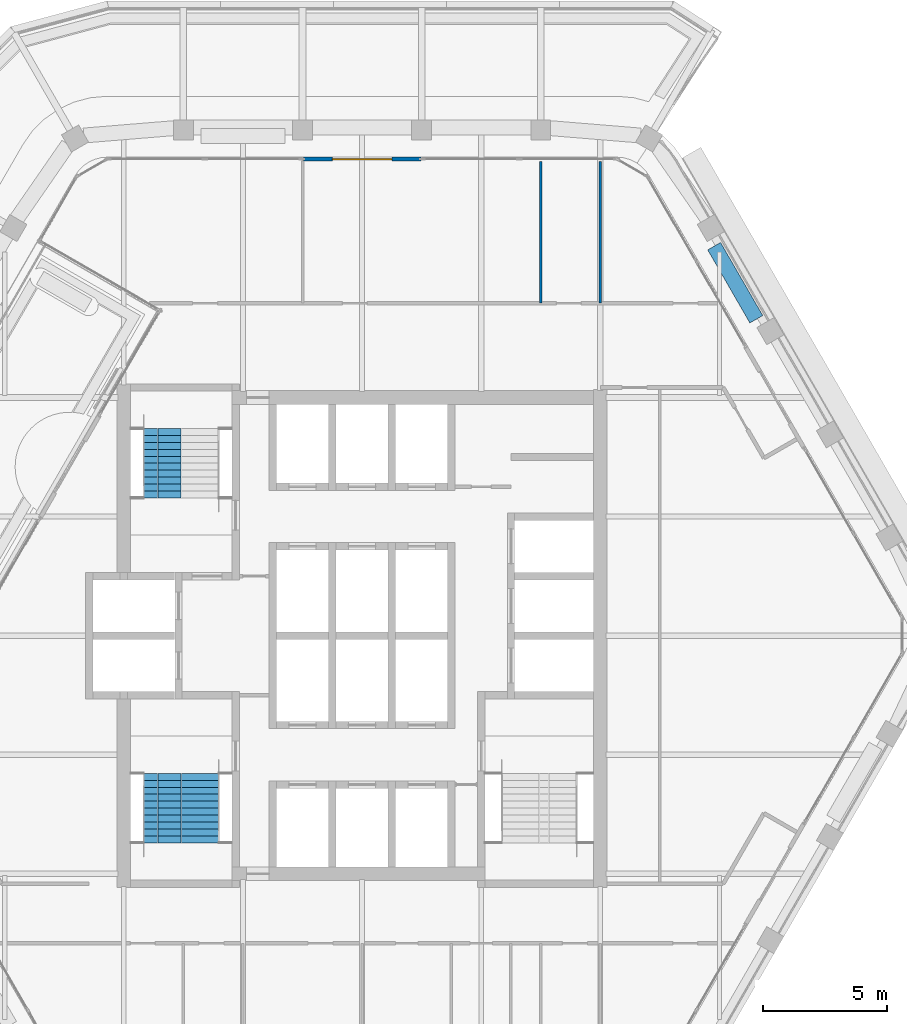
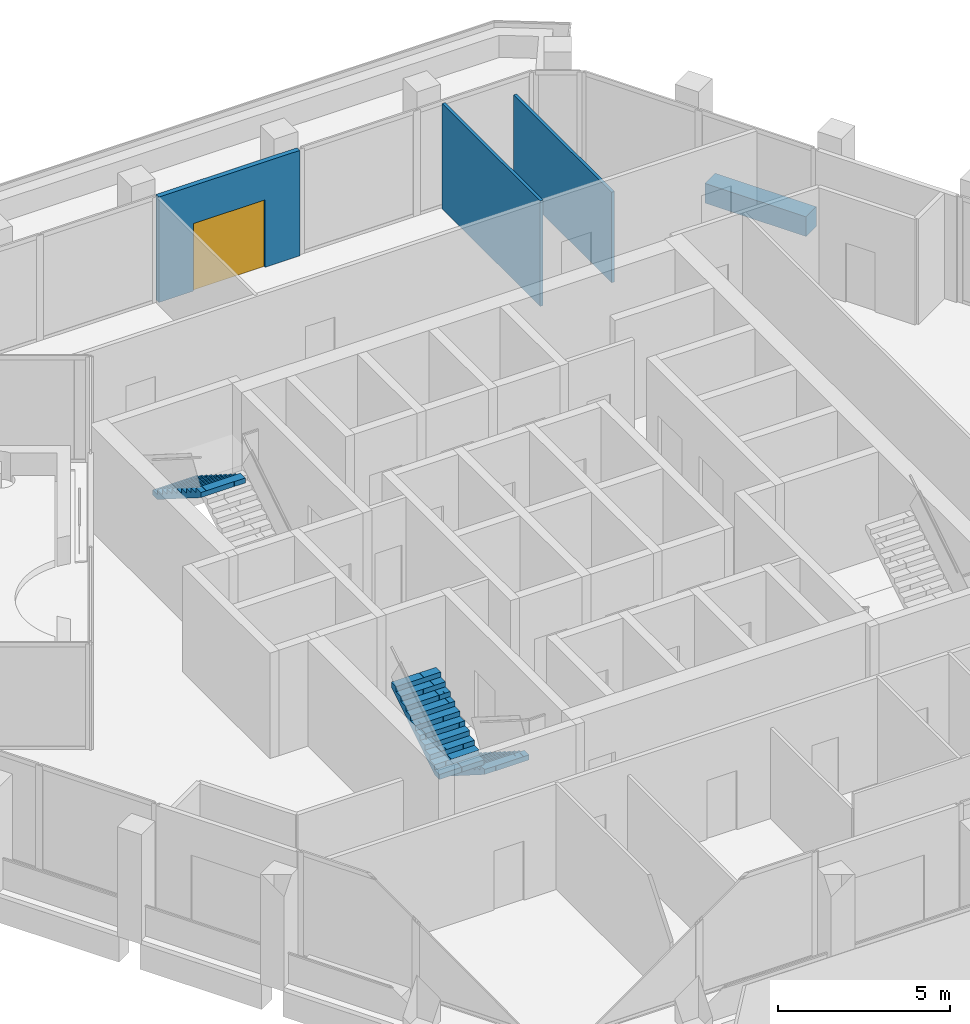
# One storey, part 13 of 16: 4 walls, 3 stair flights, 1 door, 1 opening, 2 elements without a shape of their own.
"""IFC4 building model written with IfcOpenShell, lengths in metres."""

import ifcopenshell
import ifcopenshell.guid

model = None  # the IFC model being written
_history = None  # IfcOwnerHistory: only IFC2X3 demands one
_inside = {}  # id of a spatial element -> (the spatial element, [elements in it])
_under = {}  # id of a project, library or spatial element -> (it, [spatial elements below it])
_declared = {}  # id of a project -> (the project, [libraries it declares])
_typed = {}  # id of a type object -> (the type object, [elements of that type])
_made_of = {}  # id of a material, layer set ... -> (it, [elements and type objects made of it])


def new_model(schema):
    """Start an empty IFC model of exactly this schema.

    Asked for "IFC4X3", IfcOpenShell would pick the latest addendum, in which some entities
    have other attributes; the version numbers below select the first issue.
    IFC2X3 requires an IfcOwnerHistory on every rooted entity: one is made here for all.
    """
    global model, _history
    if schema == "IFC4X3":
        model = ifcopenshell.file(schema_version=(4, 3, 0, 0))
    else:
        model = ifcopenshell.file(schema=schema)
    _inside.clear()
    _under.clear()
    _declared.clear()
    _typed.clear()
    _made_of.clear()
    _history = None
    if model.schema == "IFC2X3":
        org = make("IfcOrganization", Name="unknown")
        user = make(
            "IfcPersonAndOrganization",
            ThePerson=make("IfcPerson", FamilyName="unknown"),
            TheOrganization=org,
        )
        app = make(
            "IfcApplication",
            ApplicationDeveloper=org,
            Version="unknown",
            ApplicationFullName="unknown",
            ApplicationIdentifier="unknown",
        )
        _history = make(
            "IfcOwnerHistory",
            OwningUser=user,
            OwningApplication=app,
            ChangeAction="ADDED",
            CreationDate=0,
        )
    return model


def make(cls, **values):
    """One entity of the class cls with the attributes given. An attribute that is None is left unset."""
    return model.create_entity(
        cls, **{name: value for name, value in values.items() if value is not None}
    )


def rooted(cls, **values):
    """An entity with a GlobalId (a new one), such as an element, a storey or a relation."""
    return make(cls, GlobalId=ifcopenshell.guid.new(), OwnerHistory=_history, **values)


def si_unit(unit_type, name, prefix=None):
    """IfcSIUnit, for example si_unit("LENGTHUNIT", "METRE", prefix="MILLI")."""
    return make("IfcSIUnit", UnitType=unit_type, Prefix=prefix, Name=name)


def assignment(units):
    """IfcUnitAssignment: the units of a project."""
    return None if units is None else make("IfcUnitAssignment", Units=units)


def point(xyz):
    """IfcCartesianPoint."""
    return None if xyz is None else make("IfcCartesianPoint", Coordinates=xyz)


def direction(xyz):
    """IfcDirection."""
    return None if xyz is None else make("IfcDirection", DirectionRatios=xyz)


def frame(location, z_axis=None, x_axis=None):
    """IfcAxis2Placement3D, a coordinate frame: its origin and axes. An axis left out is left unset."""
    return make(
        "IfcAxis2Placement3D",
        Location=point(location),
        Axis=direction(z_axis),
        RefDirection=direction(x_axis),
    )


def frame_2d(location, x_axis=None):
    """IfcAxis2Placement2D, a coordinate frame in the plane: its origin and x axis."""
    return make(
        "IfcAxis2Placement2D", Location=point(location), RefDirection=direction(x_axis)
    )


def origin():
    """The frame at (0, 0, 0) with its axes left unset."""
    return frame((0.0, 0.0, 0.0))


def place(relative_to, where):
    """IfcLocalPlacement: puts the frame where relative to a parent placement (None: the world)."""
    return make(
        "IfcLocalPlacement", PlacementRelTo=relative_to, RelativePlacement=where
    )


def context(
    kind, dimensions, precision=None, world=None, true_north=None, identifier=None
):
    """IfcGeometricRepresentationContext, for example the 3D "Model" context."""
    return make(
        "IfcGeometricRepresentationContext",
        ContextIdentifier=identifier,
        ContextType=kind,
        CoordinateSpaceDimension=dimensions,
        Precision=precision,
        WorldCoordinateSystem=world,
        TrueNorth=true_north,
    )


def subcontext(parent, identifier, kind, view, scale=None):
    """IfcGeometricRepresentationSubContext, for example "Body" below "Model"."""
    return make(
        "IfcGeometricRepresentationSubContext",
        ContextIdentifier=identifier,
        ContextType=kind,
        ParentContext=parent,
        TargetScale=scale,
        TargetView=view,
    )


def project(units=None, contexts=None):
    """IfcProject with its units and contexts."""
    return rooted(
        "IfcProject",
        Name="project",
        RepresentationContexts=contexts,
        UnitsInContext=assignment(units),
    )


def spatial(cls, under=None, at=None, **own):
    """A site, building, storey or space (cls), placed at a placement, below another one or the project."""
    s = rooted(cls, ObjectPlacement=at, **own)
    if under is not None:
        _under.setdefault(under.id(), (under, []))[1].append(s)
    return s


def polyline(points):
    """IfcPolyline through the points."""
    return make("IfcPolyline", Points=[point(p) for p in points])


def profile(cls, at=None, kind="AREA", **sizes):
    """A parametric profile (cls). Its sizes go by their IFC names, for example OverallWidth=200.0."""
    return make(cls, ProfileType=kind, Position=at, **sizes)


def rectangle(**sizes):
    """IfcRectangleProfileDef."""
    return profile("IfcRectangleProfileDef", **sizes)


def outline(outer, holes=None, kind="AREA"):
    """IfcArbitraryClosedProfileDef: a profile drawn as a closed curve; with holes, ...WithVoids."""
    if holes is None:
        return make("IfcArbitraryClosedProfileDef", ProfileType=kind, OuterCurve=outer)
    return make(
        "IfcArbitraryProfileDefWithVoids",
        ProfileType=kind,
        OuterCurve=outer,
        InnerCurves=holes,
    )


def extrude(swept, where, along, depth):
    """IfcExtrudedAreaSolid: the profile swept, set in the frame where, extruded along a direction by depth."""
    return make(
        "IfcExtrudedAreaSolid",
        SweptArea=swept,
        Position=where,
        ExtrudedDirection=direction(along),
        Depth=depth,
    )


def shape(context_of_items, identifier, shape_type, items):
    """IfcShapeRepresentation: the items that make up one representation, for example the "Body"."""
    return make(
        "IfcShapeRepresentation",
        ContextOfItems=context_of_items,
        RepresentationIdentifier=identifier,
        RepresentationType=shape_type,
        Items=items,
    )


def material(Name=None, Category=None):
    """IfcMaterial."""
    return make("IfcMaterial", Name=Name, Category=Category)


def layer(
    of_material, thickness, ventilated=None, Name=None, Category=None, Priority=None
):
    """IfcMaterialLayer: one layer of a wall or slab, of a material (None: an air gap)."""
    return make(
        "IfcMaterialLayer",
        Material=of_material,
        LayerThickness=thickness,
        IsVentilated=ventilated,
        Name=Name,
        Category=Category,
        Priority=Priority,
    )


def layer_set(layers, Name=None):
    """IfcMaterialLayerSet."""
    return make("IfcMaterialLayerSet", MaterialLayers=layers, LayerSetName=Name)


def made_of(thing, what):
    """Note that an element or type object is made of a material, layer set ...; save() writes the relation."""
    if what is not None:
        _made_of.setdefault(what.id(), (what, []))[1].append(thing)
    return thing


def type_object(cls, material=None, **own):
    """A type object (cls), such as IfcWallType, which elements share."""
    return made_of(rooted(cls, **own), material)


def element(
    cls,
    number,
    at=None,
    inside=None,
    cuts=None,
    type_object=None,
    material=None,
    context=None,
    identifier="Body",
    shape_type=None,
    held_by="IfcProductDefinitionShape",
    body=None,
    shapes=None,
    **own,
):
    """One element of the class cls, such as IfcWall. Its Tag is "e" and its number.

    at: its placement. inside: the storey or other place that contains it. cuts: it is an
    opening in that element (IfcRelVoidsElement). A single representation is given by context,
    identifier, shape_type and body (its items); several are given by shapes. held_by: the class
    of the entity that holds the representations. save() writes the other relations.
    """
    e = rooted(cls, Tag="e%d" % number, ObjectPlacement=at, **own)
    if body is not None:
        shapes = [shape(context, identifier, shape_type, body)]
    if shapes is not None:
        e.Representation = make(held_by, Representations=shapes)
    if inside is not None:
        _inside.setdefault(inside.id(), (inside, []))[1].append(e)
    if cuts is not None:
        rooted(
            "IfcRelVoidsElement", RelatingBuildingElement=cuts, RelatedOpeningElement=e
        )
    if type_object is not None:
        _typed.setdefault(type_object.id(), (type_object, []))[1].append(e)
    return made_of(e, material)


def fill(opening, filler):
    """IfcRelFillsElement: the door or window that sits in an opening."""
    return rooted(
        "IfcRelFillsElement",
        RelatingOpeningElement=opening,
        RelatedBuildingElement=filler,
    )


def aggregate(whole, parts):
    """IfcRelAggregates: a whole, such as a stair, and the parts it consists of."""
    return rooted("IfcRelAggregates", RelatingObject=whole, RelatedObjects=parts)


def save(model, path):
    """Write the relations noted so far, then the file.

    IfcRelAggregates (storeys below a building ...), IfcRelContainedInSpatialStructure (elements
    in a storey), IfcRelDefinesByType, IfcRelAssociatesMaterial and IfcRelDeclares: one each for
    every whole, place, type object, material and project.
    """
    for whole, parts in _under.values():
        aggregate(whole, parts)
    for where, things in _inside.values():
        rooted(
            "IfcRelContainedInSpatialStructure",
            RelatedElements=things,
            RelatingStructure=where,
        )
    for kind, things in _typed.values():
        rooted("IfcRelDefinesByType", RelatedObjects=things, RelatingType=kind)
    for what, things in _made_of.values():
        rooted("IfcRelAssociatesMaterial", RelatedObjects=things, RelatingMaterial=what)
    for by, libraries in _declared.values():
        rooted("IfcRelDeclares", RelatingContext=by, RelatedDefinitions=libraries)
    model.write(path)


model = new_model("IFC4")

# Units and contexts
model_context = context("Model", 3, precision=1e-05, world=origin(), true_north=direction((0.0, 1.0)))
body_context = subcontext(model_context, "Body", "Model", "MODEL_VIEW")
ifc_project = project(units=[si_unit("LENGTHUNIT", "METRE"), si_unit("AREAUNIT", "SQUARE_METRE"), si_unit("VOLUMEUNIT", "CUBIC_METRE"), si_unit("PLANEANGLEUNIT", "RADIAN"), si_unit("MASSUNIT", "GRAM", prefix="KILO")], contexts=[model_context])

# Site, building, storey
site_placement = place(None, origin())
site = spatial("IfcSite", under=ifc_project, at=site_placement, CompositionType="ELEMENT")
building_placement = place(site_placement, origin())
building = spatial("IfcBuilding", under=site, at=building_placement, Name="Kolab Exchange Tower", CompositionType="ELEMENT")
storey_placement = place(building_placement, frame((0.0, 0.0, 254.0)))
storey = spatial("IfcBuildingStorey", under=building, at=storey_placement, Name="L56", CompositionType="ELEMENT", Elevation=254.0)

# Wall, opening, door
ifc_material_1 = material(Name="Aluminium EN AW-6063 T6", Category="aluminium")
ifc_layer_1 = layer(ifc_material_1, 0.159912109375)
ifc_layer_set_1 = layer_set([ifc_layer_1], Name="Aluminium EN AW-6063 T6")
wall_type_1 = type_object("IfcWallType", Name="DOOR SURROUND WALL 160 ALUMINIUM FRAMED", PredefinedType="PARTITIONING", material=ifc_layer_set_1)
wall_1_placement = place(storey_placement, frame((-2.3701171875, 19.20458984375, 0.0), z_axis=(0.0, 0.0, 1.0), x_axis=(1.0, 0.0, 0.0)))
wall_1 = element("IfcWall", 1, at=wall_1_placement, inside=storey, type_object=wall_type_1, Name="Door surround wall", PredefinedType="PARTITIONING", context=body_context, shape_type="SweptSolid", body=[
    extrude(rectangle(XDim=4.740234375, YDim=0.159912109375, at=frame_2d((2.3701171875, 0.0))), origin(), (0.0, 0.0, 1.0), 3.75),
])
opening_placement = place(wall_1_placement, frame((1.169921875, 0.0, 0.0)))
opening = element("IfcOpeningElement", 2, at=opening_placement, cuts=wall_1, Name="Opening GD1-089", PredefinedType="OPENING", context=body_context, shape_type="SweptSolid", body=[
    extrude(rectangle(XDim=2.39990234375, YDim=2.39990234375, at=frame_2d((1.199951171875, 1.199951171875))), frame((0.0, 0.08984375, 0.0), z_axis=(0.0, -1.0, 0.0), x_axis=(1.0, 0.0, 0.0)), (0.0, 0.0, 1.0), 0.179931640625),
])
door_type = type_object("IfcDoorType", Name="LOGGIA SLIDING GLASS DOOR 2400 X 2400", OperationType="DOUBLE_DOOR_SINGLE_SWING", PredefinedType="DOOR", material=ifc_material_1)
door_placement = place(opening_placement, origin())
door = element("IfcDoor", 3, at=door_placement, inside=storey, type_object=door_type, Name="Loggia door", OperationType="DOUBLE_DOOR_SLIDING", OverallHeight=2.39990234375, OverallWidth=2.39990234375, PredefinedType="DOOR", context=body_context, shape_type="SweptSolid", body=[
    extrude(rectangle(XDim=2.39990234375, YDim=2.39990234375, at=frame_2d((1.199951171875, 1.199951171875))), frame((0.0, 0.02490234375, 0.0), z_axis=(0.0, -1.0, 0.0), x_axis=(1.0, 0.0, 0.0)), (0.0, 0.0, 1.0), 0.050048828125),
])
fill(opening, door)

# Walls
ifc_material_2 = material(Name="Gypsum board", Category="gypsum")
ifc_layer_2 = layer(ifc_material_2, 0.10009765625)
ifc_layer_set_2 = layer_set([ifc_layer_2], Name="Gypsum board")
wall_type_2 = type_object("IfcWallType", Name="PARTITION 100", PredefinedType="PARTITIONING", material=ifc_layer_set_2)
wall_2_placement = place(storey_placement, frame((9.60009765625, 13.39990234375, 0.0), z_axis=(0.0, 0.0, 1.0), x_axis=(0.0, 1.0, 0.0)))
element("IfcWall", 4, at=wall_2_placement, inside=storey, type_object=wall_type_2, Name="Partition 002", PredefinedType="PARTITIONING", context=body_context, shape_type="SweptSolid", body=[
    extrude(rectangle(XDim=5.714599609375, YDim=0.10009765625, at=frame_2d((2.857421875, 0.0))), origin(), (0.0, 0.0, 1.0), 3.217041015625),
])
wall_3_placement = place(storey_placement, frame((7.199951171875, 13.39990234375, 0.0), z_axis=(0.0, 0.0, 1.0), x_axis=(0.0, 1.0, 0.0)))
element("IfcWall", 5, at=wall_3_placement, inside=storey, type_object=wall_type_2, Name="Partition 004", PredefinedType="PARTITIONING", context=body_context, shape_type="SweptSolid", body=[
    extrude(rectangle(XDim=5.714599609375, YDim=0.10009765625, at=frame_2d((2.857421875, 0.0))), origin(), (0.0, 0.0, 1.0), 3.75),
])
ifc_material_3 = material(Name="Granite facing", Category="masonry")
ifc_layer_3 = layer(ifc_material_3, 0.0400390625)
ifc_material_4 = material(Name="Concrete C40/50 precast", Category="concrete")
ifc_layer_4 = layer(ifc_material_4, 0.56005859375)
ifc_layer_set_3 = layer_set([ifc_layer_3, ifc_layer_4], Name="Concrete C40/50 precast")
wall_type_3 = type_object("IfcWallType", Name="PLANTER BOX 600 X 700 SOIL DEPTH 550", PredefinedType="USERDEFINED", material=ifc_layer_set_3)
wall_4_placement = place(storey_placement, frame((14.18701171875, 15.696533203125, 0.0), z_axis=(0.0, 0.0, 1.0), x_axis=(0.499977295307, -0.866038511948, 0.0)))
element("IfcWall", 6, at=wall_4_placement, inside=storey, type_object=wall_type_3, Name="Planter", ObjectType="PLANTER", PredefinedType="USERDEFINED", context=body_context, shape_type="SweptSolid", body=[
    extrude(rectangle(XDim=3.400146484375, YDim=0.60009765625, at=frame_2d((1.7001953125, 0.0))), origin(), (0.0, 0.0, 1.0), 0.699951171875),
])

# Stair, stair flight
ifc_material_5 = material(Name="Concrete C50/60", Category="concrete")
stair_type_1 = type_object("IfcStairType", Name="STAIR ST1 RISER 177.3", PredefinedType="HALF_TURN_STAIR", material=ifc_material_5)
stair_1_placement = place(storey_placement, origin())
stair_1 = element("IfcStair", 7, at=stair_1_placement, inside=storey, type_object=stair_type_1, Name="Stair 1", PredefinedType="HALF_TURN_STAIR")
stair_flight_type = type_object("IfcStairFlightType", Name="STAIR FLIGHT 1500 RISER 177.3", PredefinedType="STRAIGHT", material=ifc_material_5)
stair_flight_1_placement = place(storey_placement, frame((-8.047607421875, 8.35009765625, 1.949951171875), z_axis=(0.0, 0.0, 1.0), x_axis=(0.0, -1.0, 0.0)))
stair_flight_1 = element("IfcStairFlight", 8, at=stair_flight_1_placement, type_object=stair_flight_type, Name="ST1 flight 2", NumberOfRisers=11, NumberOfTreads=10, PredefinedType="STRAIGHT", RiserHeight=0.177272727, TreadLength=0.28, context=body_context, shape_type="SweptSolid", body=[
    extrude(outline(polyline([(0.0, 0.0), (0.0, 0.17724609375), (0.280029296875, 0.17724609375), (0.280029296875, 0.3544921875), (0.56005859375, 0.3544921875), (0.56005859375, 0.53173828125), (0.840087890625, 0.53173828125), (0.840087890625, 0.708984375), (1.1201171875, 0.708984375), (1.1201171875, 0.886474609375), (1.39990234375, 0.886474609375), (1.39990234375, 1.063720703125), (1.679931640625, 1.063720703125), (1.679931640625, 1.240966796875), (1.9599609375, 1.240966796875), (1.9599609375, 1.418212890625), (2.239990234375, 1.418212890625), (2.239990234375, 1.595458984375), (2.52001953125, 1.595458984375), (2.52001953125, 1.772705078125), (2.800048828125, 1.772705078125), (2.800048828125, 1.949951171875), (2.800048828125, 1.59521484375), (0.2802734375, 0.0), (0.0, 0.0)])), frame((0.0, 0.75, 0.0), z_axis=(0.0, -1.0, 0.0), x_axis=(1.0, 0.0, 0.0)), (0.0, 0.0, 1.0), 0.185791015625),
    extrude(outline(polyline([(0.0, 0.0), (0.0, 0.17724609375), (0.280029296875, 0.17724609375), (0.280029296875, 0.3544921875), (0.56005859375, 0.3544921875), (0.56005859375, 0.53173828125), (0.840087890625, 0.53173828125), (0.840087890625, 0.708984375), (1.1201171875, 0.708984375), (1.1201171875, 0.886474609375), (1.39990234375, 0.886474609375), (1.39990234375, 1.063720703125), (1.679931640625, 1.063720703125), (1.679931640625, 1.240966796875), (1.9599609375, 1.240966796875), (1.9599609375, 1.418212890625), (2.239990234375, 1.418212890625), (2.239990234375, 1.595458984375), (2.52001953125, 1.595458984375), (2.52001953125, 1.772705078125), (2.800048828125, 1.772705078125), (2.800048828125, 1.949951171875), (2.800048828125, 1.59521484375), (0.2802734375, 0.0), (0.0, 0.0)])), frame((0.0, 0.562255859375, 0.0), z_axis=(0.0, -1.0, 0.0), x_axis=(1.0, 0.0, 0.0)), (0.0, 0.0, 1.0), 0.185791015625),
    extrude(outline(polyline([(0.0, 0.0), (0.0, 0.17724609375), (0.280029296875, 0.17724609375), (0.280029296875, 0.3544921875), (0.56005859375, 0.3544921875), (0.56005859375, 0.53173828125), (0.840087890625, 0.53173828125), (0.840087890625, 0.708984375), (1.1201171875, 0.708984375), (1.1201171875, 0.886474609375), (1.39990234375, 0.886474609375), (1.39990234375, 1.063720703125), (1.679931640625, 1.063720703125), (1.679931640625, 1.240966796875), (1.9599609375, 1.240966796875), (1.9599609375, 1.418212890625), (2.239990234375, 1.418212890625), (2.239990234375, 1.595458984375), (2.52001953125, 1.595458984375), (2.52001953125, 1.772705078125), (2.800048828125, 1.772705078125), (2.800048828125, 1.949951171875), (2.800048828125, 1.59521484375), (0.2802734375, 0.0), (0.0, 0.0)])), frame((0.0, 0.37451171875, 0.0), z_axis=(0.0, -1.0, 0.0), x_axis=(1.0, 0.0, 0.0)), (0.0, 0.0, 1.0), 0.185791015625),
    extrude(outline(polyline([(0.0, 0.0), (0.0, 0.17724609375), (0.280029296875, 0.17724609375), (0.280029296875, 0.3544921875), (0.56005859375, 0.3544921875), (0.56005859375, 0.53173828125), (0.840087890625, 0.53173828125), (0.840087890625, 0.708984375), (1.1201171875, 0.708984375), (1.1201171875, 0.886474609375), (1.39990234375, 0.886474609375), (1.39990234375, 1.063720703125), (1.679931640625, 1.063720703125), (1.679931640625, 1.240966796875), (1.9599609375, 1.240966796875), (1.9599609375, 1.418212890625), (2.239990234375, 1.418212890625), (2.239990234375, 1.595458984375), (2.52001953125, 1.595458984375), (2.52001953125, 1.772705078125), (2.800048828125, 1.772705078125), (2.800048828125, 1.949951171875), (2.800048828125, 1.59521484375), (0.2802734375, 0.0), (0.0, 0.0)])), frame((0.0, 0.186767578125, 0.0), z_axis=(0.0, -1.0, 0.0), x_axis=(1.0, 0.0, 0.0)), (0.0, 0.0, 1.0), 0.185791015625),
    extrude(outline(polyline([(0.0, 0.0), (0.0, 0.17724609375), (0.280029296875, 0.17724609375), (0.280029296875, 0.3544921875), (0.56005859375, 0.3544921875), (0.56005859375, 0.53173828125), (0.840087890625, 0.53173828125), (0.840087890625, 0.708984375), (1.1201171875, 0.708984375), (1.1201171875, 0.886474609375), (1.39990234375, 0.886474609375), (1.39990234375, 1.063720703125), (1.679931640625, 1.063720703125), (1.679931640625, 1.240966796875), (1.9599609375, 1.240966796875), (1.9599609375, 1.418212890625), (2.239990234375, 1.418212890625), (2.239990234375, 1.595458984375), (2.52001953125, 1.595458984375), (2.52001953125, 1.772705078125), (2.800048828125, 1.772705078125), (2.800048828125, 1.949951171875), (2.800048828125, 1.59521484375), (0.2802734375, 0.0), (0.0, 0.0)])), frame((0.0, -0.0009765625, 0.0), z_axis=(0.0, -1.0, 0.0), x_axis=(1.0, 0.0, 0.0)), (0.0, 0.0, 1.0), 0.185791015625),
    extrude(outline(polyline([(0.0, 0.0), (0.0, 0.17724609375), (0.280029296875, 0.17724609375), (0.280029296875, 0.3544921875), (0.56005859375, 0.3544921875), (0.56005859375, 0.53173828125), (0.840087890625, 0.53173828125), (0.840087890625, 0.708984375), (1.1201171875, 0.708984375), (1.1201171875, 0.886474609375), (1.39990234375, 0.886474609375), (1.39990234375, 1.063720703125), (1.679931640625, 1.063720703125), (1.679931640625, 1.240966796875), (1.9599609375, 1.240966796875), (1.9599609375, 1.418212890625), (2.239990234375, 1.418212890625), (2.239990234375, 1.595458984375), (2.52001953125, 1.595458984375), (2.52001953125, 1.772705078125), (2.800048828125, 1.772705078125), (2.800048828125, 1.949951171875), (2.800048828125, 1.59521484375), (0.2802734375, 0.0), (0.0, 0.0)])), frame((0.0, -0.188720703125, 0.0), z_axis=(0.0, -1.0, 0.0), x_axis=(1.0, 0.0, 0.0)), (0.0, 0.0, 1.0), 0.185791015625),
    extrude(outline(polyline([(0.0, 0.0), (0.0, 0.17724609375), (0.280029296875, 0.17724609375), (0.280029296875, 0.3544921875), (0.56005859375, 0.3544921875), (0.56005859375, 0.53173828125), (0.840087890625, 0.53173828125), (0.840087890625, 0.708984375), (1.1201171875, 0.708984375), (1.1201171875, 0.886474609375), (1.39990234375, 0.886474609375), (1.39990234375, 1.063720703125), (1.679931640625, 1.063720703125), (1.679931640625, 1.240966796875), (1.9599609375, 1.240966796875), (1.9599609375, 1.418212890625), (2.239990234375, 1.418212890625), (2.239990234375, 1.595458984375), (2.52001953125, 1.595458984375), (2.52001953125, 1.772705078125), (2.800048828125, 1.772705078125), (2.800048828125, 1.949951171875), (2.800048828125, 1.59521484375), (0.2802734375, 0.0), (0.0, 0.0)])), frame((0.0, -0.37646484375, 0.0), z_axis=(0.0, -1.0, 0.0), x_axis=(1.0, 0.0, 0.0)), (0.0, 0.0, 1.0), 0.185791015625),
    extrude(outline(polyline([(0.0, 0.0), (0.0, 0.17724609375), (0.280029296875, 0.17724609375), (0.280029296875, 0.3544921875), (0.56005859375, 0.3544921875), (0.56005859375, 0.53173828125), (0.840087890625, 0.53173828125), (0.840087890625, 0.708984375), (1.1201171875, 0.708984375), (1.1201171875, 0.886474609375), (1.39990234375, 0.886474609375), (1.39990234375, 1.063720703125), (1.679931640625, 1.063720703125), (1.679931640625, 1.240966796875), (1.9599609375, 1.240966796875), (1.9599609375, 1.418212890625), (2.239990234375, 1.418212890625), (2.239990234375, 1.595458984375), (2.52001953125, 1.595458984375), (2.52001953125, 1.772705078125), (2.800048828125, 1.772705078125), (2.800048828125, 1.949951171875), (2.800048828125, 1.59521484375), (0.2802734375, 0.0), (0.0, 0.0)])), frame((0.0, -0.564208984375, 0.0), z_axis=(0.0, -1.0, 0.0), x_axis=(1.0, 0.0, 0.0)), (0.0, 0.0, 1.0), 0.185791015625),
])
aggregate(stair_1, [stair_flight_1])

# Stair, stair flights
stair_type_2 = type_object("IfcStairType", Name="STAIR ST3 RISER 177.3", PredefinedType="HALF_TURN_STAIR", material=ifc_material_5)
stair_2_placement = place(storey_placement, origin())
stair_2 = element("IfcStair", 9, at=stair_2_placement, inside=storey, type_object=stair_type_2, Name="Stair 3", PredefinedType="HALF_TURN_STAIR")
stair_flight_2_placement = place(storey_placement, frame((-6.527587890625, -5.550048828125, 0.0), z_axis=(0.0, 0.0, 1.0), x_axis=(0.0, -1.0, 0.0)))
stair_flight_2 = element("IfcStairFlight", 10, at=stair_flight_2_placement, type_object=stair_flight_type, Name="ST3 flight 1", NumberOfRisers=11, NumberOfTreads=10, PredefinedType="STRAIGHT", RiserHeight=0.177272727, TreadLength=0.28, context=body_context, shape_type="SweptSolid", body=[
    extrude(outline(polyline([(0.0, 0.0), (0.0, 0.17724609375), (0.280029296875, 0.17724609375), (0.280029296875, 0.3544921875), (0.56005859375, 0.3544921875), (0.56005859375, 0.53173828125), (0.840087890625, 0.53173828125), (0.840087890625, 0.708984375), (1.1201171875, 0.708984375), (1.1201171875, 0.886474609375), (1.39990234375, 0.886474609375), (1.39990234375, 1.063720703125), (1.679931640625, 1.063720703125), (1.679931640625, 1.240966796875), (1.9599609375, 1.240966796875), (1.9599609375, 1.418212890625), (2.239990234375, 1.418212890625), (2.239990234375, 1.595458984375), (2.52001953125, 1.595458984375), (2.52001953125, 1.772705078125), (2.800048828125, 1.772705078125), (2.800048828125, 1.949951171875), (2.800048828125, 1.59521484375), (0.2802734375, 0.0), (0.0, 0.0)])), frame((0.0, 0.75, 0.0), z_axis=(0.0, -1.0, 0.0), x_axis=(1.0, 0.0, 0.0)), (0.0, 0.0, 1.0), 0.185791015625),
    extrude(outline(polyline([(0.0, 0.0), (0.0, 0.17724609375), (0.280029296875, 0.17724609375), (0.280029296875, 0.3544921875), (0.56005859375, 0.3544921875), (0.56005859375, 0.53173828125), (0.840087890625, 0.53173828125), (0.840087890625, 0.708984375), (1.1201171875, 0.708984375), (1.1201171875, 0.886474609375), (1.39990234375, 0.886474609375), (1.39990234375, 1.063720703125), (1.679931640625, 1.063720703125), (1.679931640625, 1.240966796875), (1.9599609375, 1.240966796875), (1.9599609375, 1.418212890625), (2.239990234375, 1.418212890625), (2.239990234375, 1.595458984375), (2.52001953125, 1.595458984375), (2.52001953125, 1.772705078125), (2.800048828125, 1.772705078125), (2.800048828125, 1.949951171875), (2.800048828125, 1.59521484375), (0.2802734375, 0.0), (0.0, 0.0)])), frame((0.0, 0.562255859375, 0.0), z_axis=(0.0, -1.0, 0.0), x_axis=(1.0, 0.0, 0.0)), (0.0, 0.0, 1.0), 0.185791015625),
    extrude(outline(polyline([(0.0, 0.0), (0.0, 0.17724609375), (0.280029296875, 0.17724609375), (0.280029296875, 0.3544921875), (0.56005859375, 0.3544921875), (0.56005859375, 0.53173828125), (0.840087890625, 0.53173828125), (0.840087890625, 0.708984375), (1.1201171875, 0.708984375), (1.1201171875, 0.886474609375), (1.39990234375, 0.886474609375), (1.39990234375, 1.063720703125), (1.679931640625, 1.063720703125), (1.679931640625, 1.240966796875), (1.9599609375, 1.240966796875), (1.9599609375, 1.418212890625), (2.239990234375, 1.418212890625), (2.239990234375, 1.595458984375), (2.52001953125, 1.595458984375), (2.52001953125, 1.772705078125), (2.800048828125, 1.772705078125), (2.800048828125, 1.949951171875), (2.800048828125, 1.59521484375), (0.2802734375, 0.0), (0.0, 0.0)])), frame((0.0, 0.37451171875, 0.0), z_axis=(0.0, -1.0, 0.0), x_axis=(1.0, 0.0, 0.0)), (0.0, 0.0, 1.0), 0.185791015625),
    extrude(outline(polyline([(0.0, 0.0), (0.0, 0.17724609375), (0.280029296875, 0.17724609375), (0.280029296875, 0.3544921875), (0.56005859375, 0.3544921875), (0.56005859375, 0.53173828125), (0.840087890625, 0.53173828125), (0.840087890625, 0.708984375), (1.1201171875, 0.708984375), (1.1201171875, 0.886474609375), (1.39990234375, 0.886474609375), (1.39990234375, 1.063720703125), (1.679931640625, 1.063720703125), (1.679931640625, 1.240966796875), (1.9599609375, 1.240966796875), (1.9599609375, 1.418212890625), (2.239990234375, 1.418212890625), (2.239990234375, 1.595458984375), (2.52001953125, 1.595458984375), (2.52001953125, 1.772705078125), (2.800048828125, 1.772705078125), (2.800048828125, 1.949951171875), (2.800048828125, 1.59521484375), (0.2802734375, 0.0), (0.0, 0.0)])), frame((0.0, 0.186767578125, 0.0), z_axis=(0.0, -1.0, 0.0), x_axis=(1.0, 0.0, 0.0)), (0.0, 0.0, 1.0), 0.185791015625),
    extrude(outline(polyline([(0.0, 0.0), (0.0, 0.17724609375), (0.280029296875, 0.17724609375), (0.280029296875, 0.3544921875), (0.56005859375, 0.3544921875), (0.56005859375, 0.53173828125), (0.840087890625, 0.53173828125), (0.840087890625, 0.708984375), (1.1201171875, 0.708984375), (1.1201171875, 0.886474609375), (1.39990234375, 0.886474609375), (1.39990234375, 1.063720703125), (1.679931640625, 1.063720703125), (1.679931640625, 1.240966796875), (1.9599609375, 1.240966796875), (1.9599609375, 1.418212890625), (2.239990234375, 1.418212890625), (2.239990234375, 1.595458984375), (2.52001953125, 1.595458984375), (2.52001953125, 1.772705078125), (2.800048828125, 1.772705078125), (2.800048828125, 1.949951171875), (2.800048828125, 1.59521484375), (0.2802734375, 0.0), (0.0, 0.0)])), frame((0.0, -0.0009765625, 0.0), z_axis=(0.0, -1.0, 0.0), x_axis=(1.0, 0.0, 0.0)), (0.0, 0.0, 1.0), 0.185791015625),
    extrude(outline(polyline([(0.0, 0.0), (0.0, 0.17724609375), (0.280029296875, 0.17724609375), (0.280029296875, 0.3544921875), (0.56005859375, 0.3544921875), (0.56005859375, 0.53173828125), (0.840087890625, 0.53173828125), (0.840087890625, 0.708984375), (1.1201171875, 0.708984375), (1.1201171875, 0.886474609375), (1.39990234375, 0.886474609375), (1.39990234375, 1.063720703125), (1.679931640625, 1.063720703125), (1.679931640625, 1.240966796875), (1.9599609375, 1.240966796875), (1.9599609375, 1.418212890625), (2.239990234375, 1.418212890625), (2.239990234375, 1.595458984375), (2.52001953125, 1.595458984375), (2.52001953125, 1.772705078125), (2.800048828125, 1.772705078125), (2.800048828125, 1.949951171875), (2.800048828125, 1.59521484375), (0.2802734375, 0.0), (0.0, 0.0)])), frame((0.0, -0.188720703125, 0.0), z_axis=(0.0, -1.0, 0.0), x_axis=(1.0, 0.0, 0.0)), (0.0, 0.0, 1.0), 0.185791015625),
    extrude(outline(polyline([(0.0, 0.0), (0.0, 0.17724609375), (0.280029296875, 0.17724609375), (0.280029296875, 0.3544921875), (0.56005859375, 0.3544921875), (0.56005859375, 0.53173828125), (0.840087890625, 0.53173828125), (0.840087890625, 0.708984375), (1.1201171875, 0.708984375), (1.1201171875, 0.886474609375), (1.39990234375, 0.886474609375), (1.39990234375, 1.063720703125), (1.679931640625, 1.063720703125), (1.679931640625, 1.240966796875), (1.9599609375, 1.240966796875), (1.9599609375, 1.418212890625), (2.239990234375, 1.418212890625), (2.239990234375, 1.595458984375), (2.52001953125, 1.595458984375), (2.52001953125, 1.772705078125), (2.800048828125, 1.772705078125), (2.800048828125, 1.949951171875), (2.800048828125, 1.59521484375), (0.2802734375, 0.0), (0.0, 0.0)])), frame((0.0, -0.37646484375, 0.0), z_axis=(0.0, -1.0, 0.0), x_axis=(1.0, 0.0, 0.0)), (0.0, 0.0, 1.0), 0.185791015625),
    extrude(outline(polyline([(0.0, 0.0), (0.0, 0.17724609375), (0.280029296875, 0.17724609375), (0.280029296875, 0.3544921875), (0.56005859375, 0.3544921875), (0.56005859375, 0.53173828125), (0.840087890625, 0.53173828125), (0.840087890625, 0.708984375), (1.1201171875, 0.708984375), (1.1201171875, 0.886474609375), (1.39990234375, 0.886474609375), (1.39990234375, 1.063720703125), (1.679931640625, 1.063720703125), (1.679931640625, 1.240966796875), (1.9599609375, 1.240966796875), (1.9599609375, 1.418212890625), (2.239990234375, 1.418212890625), (2.239990234375, 1.595458984375), (2.52001953125, 1.595458984375), (2.52001953125, 1.772705078125), (2.800048828125, 1.772705078125), (2.800048828125, 1.949951171875), (2.800048828125, 1.59521484375), (0.2802734375, 0.0), (0.0, 0.0)])), frame((0.0, -0.564208984375, 0.0), z_axis=(0.0, -1.0, 0.0), x_axis=(1.0, 0.0, 0.0)), (0.0, 0.0, 1.0), 0.185791015625),
])
stair_flight_3_placement = place(storey_placement, frame((-8.047607421875, -8.35009765625, 1.949951171875), z_axis=(0.0, 0.0, 1.0), x_axis=(0.0, 1.0, 0.0)))
stair_flight_3 = element("IfcStairFlight", 11, at=stair_flight_3_placement, type_object=stair_flight_type, Name="ST3 flight 2", NumberOfRisers=11, NumberOfTreads=10, PredefinedType="STRAIGHT", RiserHeight=0.177272727, TreadLength=0.28, context=body_context, shape_type="SweptSolid", body=[
    extrude(outline(polyline([(0.0, 0.0), (0.0, 0.17724609375), (0.280029296875, 0.17724609375), (0.280029296875, 0.3544921875), (0.56005859375, 0.3544921875), (0.56005859375, 0.53173828125), (0.840087890625, 0.53173828125), (0.840087890625, 0.708984375), (1.1201171875, 0.708984375), (1.1201171875, 0.886474609375), (1.39990234375, 0.886474609375), (1.39990234375, 1.063720703125), (1.679931640625, 1.063720703125), (1.679931640625, 1.240966796875), (1.9599609375, 1.240966796875), (1.9599609375, 1.418212890625), (2.239990234375, 1.418212890625), (2.239990234375, 1.595458984375), (2.52001953125, 1.595458984375), (2.52001953125, 1.772705078125), (2.800048828125, 1.772705078125), (2.800048828125, 1.949951171875), (2.800048828125, 1.59521484375), (0.2802734375, 0.0), (0.0, 0.0)])), frame((0.0, 0.75, 0.0), z_axis=(0.0, -1.0, 0.0), x_axis=(1.0, 0.0, 0.0)), (0.0, 0.0, 1.0), 0.185791015625),
    extrude(outline(polyline([(0.0, 0.0), (0.0, 0.17724609375), (0.280029296875, 0.17724609375), (0.280029296875, 0.3544921875), (0.56005859375, 0.3544921875), (0.56005859375, 0.53173828125), (0.840087890625, 0.53173828125), (0.840087890625, 0.708984375), (1.1201171875, 0.708984375), (1.1201171875, 0.886474609375), (1.39990234375, 0.886474609375), (1.39990234375, 1.063720703125), (1.679931640625, 1.063720703125), (1.679931640625, 1.240966796875), (1.9599609375, 1.240966796875), (1.9599609375, 1.418212890625), (2.239990234375, 1.418212890625), (2.239990234375, 1.595458984375), (2.52001953125, 1.595458984375), (2.52001953125, 1.772705078125), (2.800048828125, 1.772705078125), (2.800048828125, 1.949951171875), (2.800048828125, 1.59521484375), (0.2802734375, 0.0), (0.0, 0.0)])), frame((0.0, 0.562255859375, 0.0), z_axis=(0.0, -1.0, 0.0), x_axis=(1.0, 0.0, 0.0)), (0.0, 0.0, 1.0), 0.185791015625),
    extrude(outline(polyline([(0.0, 0.0), (0.0, 0.17724609375), (0.280029296875, 0.17724609375), (0.280029296875, 0.3544921875), (0.56005859375, 0.3544921875), (0.56005859375, 0.53173828125), (0.840087890625, 0.53173828125), (0.840087890625, 0.708984375), (1.1201171875, 0.708984375), (1.1201171875, 0.886474609375), (1.39990234375, 0.886474609375), (1.39990234375, 1.063720703125), (1.679931640625, 1.063720703125), (1.679931640625, 1.240966796875), (1.9599609375, 1.240966796875), (1.9599609375, 1.418212890625), (2.239990234375, 1.418212890625), (2.239990234375, 1.595458984375), (2.52001953125, 1.595458984375), (2.52001953125, 1.772705078125), (2.800048828125, 1.772705078125), (2.800048828125, 1.949951171875), (2.800048828125, 1.59521484375), (0.2802734375, 0.0), (0.0, 0.0)])), frame((0.0, 0.37451171875, 0.0), z_axis=(0.0, -1.0, 0.0), x_axis=(1.0, 0.0, 0.0)), (0.0, 0.0, 1.0), 0.185791015625),
    extrude(outline(polyline([(0.0, 0.0), (0.0, 0.17724609375), (0.280029296875, 0.17724609375), (0.280029296875, 0.3544921875), (0.56005859375, 0.3544921875), (0.56005859375, 0.53173828125), (0.840087890625, 0.53173828125), (0.840087890625, 0.708984375), (1.1201171875, 0.708984375), (1.1201171875, 0.886474609375), (1.39990234375, 0.886474609375), (1.39990234375, 1.063720703125), (1.679931640625, 1.063720703125), (1.679931640625, 1.240966796875), (1.9599609375, 1.240966796875), (1.9599609375, 1.418212890625), (2.239990234375, 1.418212890625), (2.239990234375, 1.595458984375), (2.52001953125, 1.595458984375), (2.52001953125, 1.772705078125), (2.800048828125, 1.772705078125), (2.800048828125, 1.949951171875), (2.800048828125, 1.59521484375), (0.2802734375, 0.0), (0.0, 0.0)])), frame((0.0, 0.186767578125, 0.0), z_axis=(0.0, -1.0, 0.0), x_axis=(1.0, 0.0, 0.0)), (0.0, 0.0, 1.0), 0.185791015625),
    extrude(outline(polyline([(0.0, 0.0), (0.0, 0.17724609375), (0.280029296875, 0.17724609375), (0.280029296875, 0.3544921875), (0.56005859375, 0.3544921875), (0.56005859375, 0.53173828125), (0.840087890625, 0.53173828125), (0.840087890625, 0.708984375), (1.1201171875, 0.708984375), (1.1201171875, 0.886474609375), (1.39990234375, 0.886474609375), (1.39990234375, 1.063720703125), (1.679931640625, 1.063720703125), (1.679931640625, 1.240966796875), (1.9599609375, 1.240966796875), (1.9599609375, 1.418212890625), (2.239990234375, 1.418212890625), (2.239990234375, 1.595458984375), (2.52001953125, 1.595458984375), (2.52001953125, 1.772705078125), (2.800048828125, 1.772705078125), (2.800048828125, 1.949951171875), (2.800048828125, 1.59521484375), (0.2802734375, 0.0), (0.0, 0.0)])), frame((0.0, -0.0009765625, 0.0), z_axis=(0.0, -1.0, 0.0), x_axis=(1.0, 0.0, 0.0)), (0.0, 0.0, 1.0), 0.185791015625),
    extrude(outline(polyline([(0.0, 0.0), (0.0, 0.17724609375), (0.280029296875, 0.17724609375), (0.280029296875, 0.3544921875), (0.56005859375, 0.3544921875), (0.56005859375, 0.53173828125), (0.840087890625, 0.53173828125), (0.840087890625, 0.708984375), (1.1201171875, 0.708984375), (1.1201171875, 0.886474609375), (1.39990234375, 0.886474609375), (1.39990234375, 1.063720703125), (1.679931640625, 1.063720703125), (1.679931640625, 1.240966796875), (1.9599609375, 1.240966796875), (1.9599609375, 1.418212890625), (2.239990234375, 1.418212890625), (2.239990234375, 1.595458984375), (2.52001953125, 1.595458984375), (2.52001953125, 1.772705078125), (2.800048828125, 1.772705078125), (2.800048828125, 1.949951171875), (2.800048828125, 1.59521484375), (0.2802734375, 0.0), (0.0, 0.0)])), frame((0.0, -0.188720703125, 0.0), z_axis=(0.0, -1.0, 0.0), x_axis=(1.0, 0.0, 0.0)), (0.0, 0.0, 1.0), 0.185791015625),
    extrude(outline(polyline([(0.0, 0.0), (0.0, 0.17724609375), (0.280029296875, 0.17724609375), (0.280029296875, 0.3544921875), (0.56005859375, 0.3544921875), (0.56005859375, 0.53173828125), (0.840087890625, 0.53173828125), (0.840087890625, 0.708984375), (1.1201171875, 0.708984375), (1.1201171875, 0.886474609375), (1.39990234375, 0.886474609375), (1.39990234375, 1.063720703125), (1.679931640625, 1.063720703125), (1.679931640625, 1.240966796875), (1.9599609375, 1.240966796875), (1.9599609375, 1.418212890625), (2.239990234375, 1.418212890625), (2.239990234375, 1.595458984375), (2.52001953125, 1.595458984375), (2.52001953125, 1.772705078125), (2.800048828125, 1.772705078125), (2.800048828125, 1.949951171875), (2.800048828125, 1.59521484375), (0.2802734375, 0.0), (0.0, 0.0)])), frame((0.0, -0.37646484375, 0.0), z_axis=(0.0, -1.0, 0.0), x_axis=(1.0, 0.0, 0.0)), (0.0, 0.0, 1.0), 0.185791015625),
    extrude(outline(polyline([(0.0, 0.0), (0.0, 0.17724609375), (0.280029296875, 0.17724609375), (0.280029296875, 0.3544921875), (0.56005859375, 0.3544921875), (0.56005859375, 0.53173828125), (0.840087890625, 0.53173828125), (0.840087890625, 0.708984375), (1.1201171875, 0.708984375), (1.1201171875, 0.886474609375), (1.39990234375, 0.886474609375), (1.39990234375, 1.063720703125), (1.679931640625, 1.063720703125), (1.679931640625, 1.240966796875), (1.9599609375, 1.240966796875), (1.9599609375, 1.418212890625), (2.239990234375, 1.418212890625), (2.239990234375, 1.595458984375), (2.52001953125, 1.595458984375), (2.52001953125, 1.772705078125), (2.800048828125, 1.772705078125), (2.800048828125, 1.949951171875), (2.800048828125, 1.59521484375), (0.2802734375, 0.0), (0.0, 0.0)])), frame((0.0, -0.564208984375, 0.0), z_axis=(0.0, -1.0, 0.0), x_axis=(1.0, 0.0, 0.0)), (0.0, 0.0, 1.0), 0.185791015625),
])
aggregate(stair_2, [stair_flight_2, stair_flight_3])

save(model, "model.ifc")
